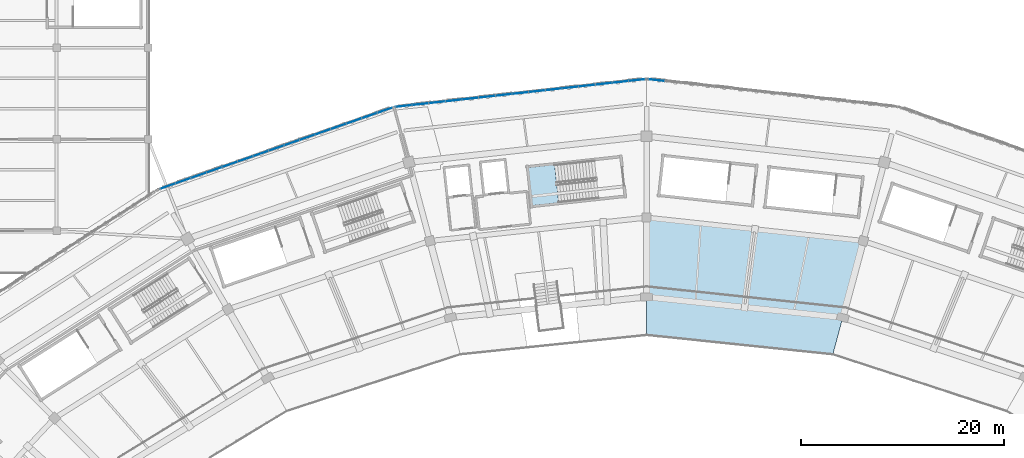
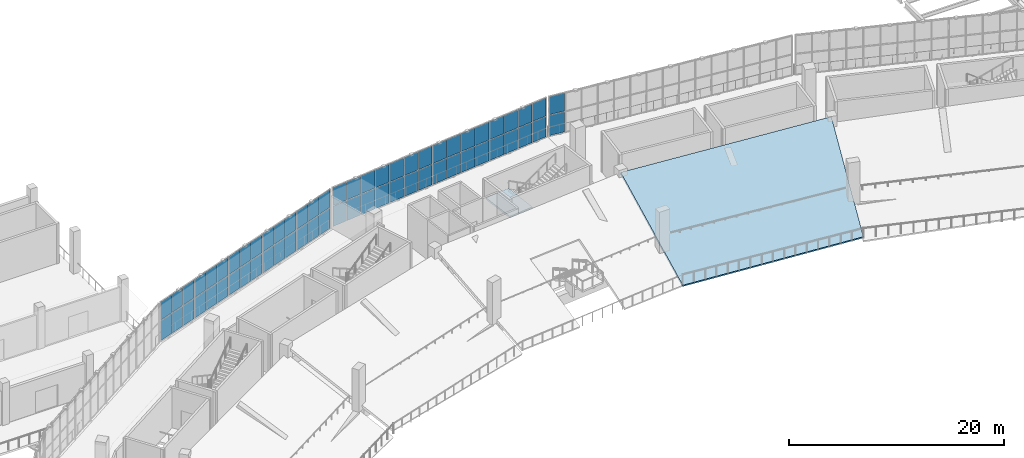
# One storey, part 85 of 152: 62 plates, 2 slabs, 4 elements without a shape of their own.
"""IFC4 building model written with IfcOpenShell, lengths in metres."""

from ifc_helpers import new_model, si_unit, direction, frame, origin, origin_2d, place, context, subcontext, project, spatial, polyline, rectangle, outline, extrude, material, layer, layer_set, type_object, element, aggregate, save


model = new_model("IFC4")

# Units and contexts
model_context = context("Model", 3, precision=1e-05, world=origin(), true_north=direction((0.0, 1.0)))
body_context = subcontext(model_context, "Body", "Model", "MODEL_VIEW")
ifc_project = project(units=[si_unit("LENGTHUNIT", "METRE"), si_unit("AREAUNIT", "SQUARE_METRE"), si_unit("VOLUMEUNIT", "CUBIC_METRE"), si_unit("PLANEANGLEUNIT", "RADIAN"), si_unit("MASSUNIT", "GRAM", prefix="KILO")], contexts=[model_context])

# Site, building, storey
site_placement = place(None, origin())
site = spatial("IfcSite", under=ifc_project, at=site_placement, CompositionType="ELEMENT")
building_placement = place(site_placement, origin())
building = spatial("IfcBuilding", under=site, at=building_placement, Name="Zevraka Park Crest Stadium", CompositionType="ELEMENT")
storey_placement = place(building_placement, frame((0.0, 0.0, 15.0)))
storey = spatial("IfcBuildingStorey", under=building, at=storey_placement, Name="L03", CompositionType="ELEMENT", Elevation=15.0)

# Curtain wall, plates
ifc_material_1 = material(Name="Anodised architectural aluminium and laminated safety glass", Category="aluminium")
curtain_wall_type_1 = type_object("IfcCurtainWallType", Name="CW11", PredefinedType="NOTDEFINED", material=ifc_material_1)
curtain_wall_1_placement = place(storey_placement, origin())
curtain_wall_1 = element("IfcCurtainWall", 1, at=curtain_wall_1_placement, inside=storey, type_object=curtain_wall_type_1, Name="Unitised Ring Curtain Wall CW11 L03-05", PredefinedType="NOTDEFINED")
ifc_material_2 = material(Name="Solar-control laminated double glazing", Category="glass")
ifc_layer_1 = layer(ifc_material_2, 0.028076171875)
ifc_layer_set_1 = layer_set([ifc_layer_1], Name="Solar-control laminated double glazing")
plate_type_1 = type_object("IfcPlateType", Name="CP11", PredefinedType="CURTAIN_PANEL", material=ifc_layer_set_1)
plate_1_placement = place(storey_placement, frame((112.965087890625, 172.812255859375, 0.06494140625), z_axis=(0.0, 0.0, 1.0), x_axis=(-0.993887680665, 0.110396006373, 0.0)))
plate_1 = element("IfcPlate", 2, at=plate_1_placement, type_object=plate_type_1, Name="CW11 panel 15.1", PredefinedType="CURTAIN_PANEL", context=body_context, shape_type="SweptSolid", body=[
    extrude(rectangle(XDim=1.550537109375, YDim=0.028076171875, at=origin_2d()), origin(), (0.0, 0.0, 1.0), 2.302490234375),
])
plate_2_placement = place(storey_placement, frame((112.965087890625, 172.812255859375, 2.4326171875), z_axis=(0.0, 0.0, 1.0), x_axis=(-0.993887680665, 0.110396006373, 0.0)))
plate_2 = element("IfcPlate", 3, at=plate_2_placement, type_object=plate_type_1, Name="CW11 panel 15.2", PredefinedType="CURTAIN_PANEL", context=body_context, shape_type="SweptSolid", body=[
    extrude(rectangle(XDim=1.550537109375, YDim=0.028076171875, at=origin_2d()), origin(), (0.0, 0.0, 1.0), 2.04248046875),
])
aggregate(curtain_wall_1, [plate_1, plate_2])

curtain_wall_2_placement = place(storey_placement, origin())
curtain_wall_2 = element("IfcCurtainWall", 4, at=curtain_wall_2_placement, inside=storey, type_object=curtain_wall_type_1, Name="Unitised Ring Curtain Wall CW11 L03-06", PredefinedType="NOTDEFINED")
plate_3_placement = place(storey_placement, frame((111.034912109375, 172.812255859375, 0.06494140625), z_axis=(0.0, 0.0, 1.0), x_axis=(-0.993887680665, -0.110396006373, 0.0)))
plate_3 = element("IfcPlate", 5, at=plate_3_placement, type_object=plate_type_1, Name="CW11 panel 1.1", PredefinedType="CURTAIN_PANEL", context=body_context, shape_type="SweptSolid", body=[
    extrude(rectangle(XDim=1.550537109375, YDim=0.028076171875, at=origin_2d()), origin(), (0.0, 0.0, 1.0), 2.302490234375),
])
plate_4_placement = place(storey_placement, frame((111.034912109375, 172.812255859375, 2.4326171875), z_axis=(0.0, 0.0, 1.0), x_axis=(-0.993887680665, -0.110396006373, 0.0)))
plate_4 = element("IfcPlate", 6, at=plate_4_placement, type_object=plate_type_1, Name="CW11 panel 1.2", PredefinedType="CURTAIN_PANEL", context=body_context, shape_type="SweptSolid", body=[
    extrude(rectangle(XDim=1.550537109375, YDim=0.028076171875, at=origin_2d()), origin(), (0.0, 0.0, 1.0), 2.04248046875),
])
plate_5_placement = place(storey_placement, frame((109.4130859375, 172.632080078125, 0.06494140625), z_axis=(0.0, 0.0, 1.0), x_axis=(-0.993887680665, -0.110396006373, 0.0)))
plate_5 = element("IfcPlate", 7, at=plate_5_placement, type_object=plate_type_1, Name="CW11 panel 2.1", PredefinedType="CURTAIN_PANEL", context=body_context, shape_type="SweptSolid", body=[
    extrude(rectangle(XDim=1.5830078125, YDim=0.028076171875, at=origin_2d()), origin(), (0.0, 0.0, 1.0), 2.302490234375),
])
plate_6_placement = place(storey_placement, frame((109.4130859375, 172.632080078125, 2.4326171875), z_axis=(0.0, 0.0, 1.0), x_axis=(-0.993887680665, -0.110396006373, 0.0)))
plate_6 = element("IfcPlate", 8, at=plate_6_placement, type_object=plate_type_1, Name="CW11 panel 2.2", PredefinedType="CURTAIN_PANEL", context=body_context, shape_type="SweptSolid", body=[
    extrude(rectangle(XDim=1.5830078125, YDim=0.028076171875, at=origin_2d()), origin(), (0.0, 0.0, 1.0), 2.04248046875),
])
plate_7_placement = place(storey_placement, frame((107.775146484375, 172.4501953125, 0.06494140625), z_axis=(0.0, 0.0, 1.0), x_axis=(-0.993887680665, -0.110396006373, 0.0)))
plate_7 = element("IfcPlate", 9, at=plate_7_placement, type_object=plate_type_1, Name="CW11 panel 3.1", PredefinedType="CURTAIN_PANEL", context=body_context, shape_type="SweptSolid", body=[
    extrude(rectangle(XDim=1.5830078125, YDim=0.028076171875, at=origin_2d()), origin(), (0.0, 0.0, 1.0), 2.302490234375),
])
plate_8_placement = place(storey_placement, frame((107.775146484375, 172.4501953125, 2.4326171875), z_axis=(0.0, 0.0, 1.0), x_axis=(-0.993887680665, -0.110396006373, 0.0)))
plate_8 = element("IfcPlate", 10, at=plate_8_placement, type_object=plate_type_1, Name="CW11 panel 3.2", PredefinedType="CURTAIN_PANEL", context=body_context, shape_type="SweptSolid", body=[
    extrude(rectangle(XDim=1.5830078125, YDim=0.028076171875, at=origin_2d()), origin(), (0.0, 0.0, 1.0), 2.04248046875),
])
plate_9_placement = place(storey_placement, frame((106.13720703125, 172.268310546875, 0.06494140625), z_axis=(0.0, 0.0, 1.0), x_axis=(-0.993887680665, -0.110396006373, 0.0)))
plate_9 = element("IfcPlate", 11, at=plate_9_placement, type_object=plate_type_1, Name="CW11 panel 4.1", PredefinedType="CURTAIN_PANEL", context=body_context, shape_type="SweptSolid", body=[
    extrude(rectangle(XDim=1.5830078125, YDim=0.028076171875, at=origin_2d()), origin(), (0.0, 0.0, 1.0), 2.302490234375),
])
plate_10_placement = place(storey_placement, frame((106.13720703125, 172.268310546875, 2.4326171875), z_axis=(0.0, 0.0, 1.0), x_axis=(-0.993887680665, -0.110396006373, 0.0)))
plate_10 = element("IfcPlate", 12, at=plate_10_placement, type_object=plate_type_1, Name="CW11 panel 4.2", PredefinedType="CURTAIN_PANEL", context=body_context, shape_type="SweptSolid", body=[
    extrude(rectangle(XDim=1.5830078125, YDim=0.028076171875, at=origin_2d()), origin(), (0.0, 0.0, 1.0), 2.04248046875),
])
plate_11_placement = place(storey_placement, frame((104.499267578125, 172.086181640625, 0.06494140625), z_axis=(0.0, 0.0, 1.0), x_axis=(-0.993887680665, -0.110396006373, 0.0)))
plate_11 = element("IfcPlate", 13, at=plate_11_placement, type_object=plate_type_1, Name="CW11 panel 5.1", PredefinedType="CURTAIN_PANEL", context=body_context, shape_type="SweptSolid", body=[
    extrude(rectangle(XDim=1.5830078125, YDim=0.028076171875, at=origin_2d()), origin(), (0.0, 0.0, 1.0), 2.302490234375),
])
plate_12_placement = place(storey_placement, frame((104.499267578125, 172.086181640625, 2.4326171875), z_axis=(0.0, 0.0, 1.0), x_axis=(-0.993887680665, -0.110396006373, 0.0)))
plate_12 = element("IfcPlate", 14, at=plate_12_placement, type_object=plate_type_1, Name="CW11 panel 5.2", PredefinedType="CURTAIN_PANEL", context=body_context, shape_type="SweptSolid", body=[
    extrude(rectangle(XDim=1.5830078125, YDim=0.028076171875, at=origin_2d()), origin(), (0.0, 0.0, 1.0), 2.04248046875),
])
plate_13_placement = place(storey_placement, frame((102.861328125, 171.904296875, 0.06494140625), z_axis=(0.0, 0.0, 1.0), x_axis=(-0.993887680665, -0.110396006373, 0.0)))
plate_13 = element("IfcPlate", 15, at=plate_13_placement, type_object=plate_type_1, Name="CW11 panel 6.1", PredefinedType="CURTAIN_PANEL", context=body_context, shape_type="SweptSolid", body=[
    extrude(rectangle(XDim=1.5830078125, YDim=0.028076171875, at=origin_2d()), origin(), (0.0, 0.0, 1.0), 2.302490234375),
])
plate_14_placement = place(storey_placement, frame((102.861328125, 171.904296875, 2.4326171875), z_axis=(0.0, 0.0, 1.0), x_axis=(-0.993887680665, -0.110396006373, 0.0)))
plate_14 = element("IfcPlate", 16, at=plate_14_placement, type_object=plate_type_1, Name="CW11 panel 6.2", PredefinedType="CURTAIN_PANEL", context=body_context, shape_type="SweptSolid", body=[
    extrude(rectangle(XDim=1.5830078125, YDim=0.028076171875, at=origin_2d()), origin(), (0.0, 0.0, 1.0), 2.04248046875),
])
plate_15_placement = place(storey_placement, frame((101.223388671875, 171.722412109375, 0.06494140625), z_axis=(0.0, 0.0, 1.0), x_axis=(-0.993887680665, -0.110396006373, 0.0)))
plate_15 = element("IfcPlate", 17, at=plate_15_placement, type_object=plate_type_1, Name="CW11 panel 7.1", PredefinedType="CURTAIN_PANEL", context=body_context, shape_type="SweptSolid", body=[
    extrude(rectangle(XDim=1.5830078125, YDim=0.028076171875, at=origin_2d()), origin(), (0.0, 0.0, 1.0), 2.302490234375),
])
plate_16_placement = place(storey_placement, frame((101.223388671875, 171.722412109375, 2.4326171875), z_axis=(0.0, 0.0, 1.0), x_axis=(-0.993887680665, -0.110396006373, 0.0)))
plate_16 = element("IfcPlate", 18, at=plate_16_placement, type_object=plate_type_1, Name="CW11 panel 7.2", PredefinedType="CURTAIN_PANEL", context=body_context, shape_type="SweptSolid", body=[
    extrude(rectangle(XDim=1.5830078125, YDim=0.028076171875, at=origin_2d()), origin(), (0.0, 0.0, 1.0), 2.04248046875),
])
plate_17_placement = place(storey_placement, frame((99.58544921875, 171.54052734375, 0.06494140625), z_axis=(0.0, 0.0, 1.0), x_axis=(-0.993887680665, -0.110396006373, 0.0)))
plate_17 = element("IfcPlate", 19, at=plate_17_placement, type_object=plate_type_1, Name="CW11 panel 8.1", PredefinedType="CURTAIN_PANEL", context=body_context, shape_type="SweptSolid", body=[
    extrude(rectangle(XDim=1.5830078125, YDim=0.028076171875, at=origin_2d()), origin(), (0.0, 0.0, 1.0), 2.302490234375),
])
plate_18_placement = place(storey_placement, frame((99.58544921875, 171.54052734375, 2.4326171875), z_axis=(0.0, 0.0, 1.0), x_axis=(-0.993887680665, -0.110396006373, 0.0)))
plate_18 = element("IfcPlate", 20, at=plate_18_placement, type_object=plate_type_1, Name="CW11 panel 8.2", PredefinedType="CURTAIN_PANEL", context=body_context, shape_type="SweptSolid", body=[
    extrude(rectangle(XDim=1.5830078125, YDim=0.028076171875, at=origin_2d()), origin(), (0.0, 0.0, 1.0), 2.04248046875),
])
plate_19_placement = place(storey_placement, frame((97.947509765625, 171.358642578125, 0.06494140625), z_axis=(0.0, 0.0, 1.0), x_axis=(-0.993887680665, -0.110396006373, 0.0)))
plate_19 = element("IfcPlate", 21, at=plate_19_placement, type_object=plate_type_1, Name="CW11 panel 9.1", PredefinedType="CURTAIN_PANEL", context=body_context, shape_type="SweptSolid", body=[
    extrude(rectangle(XDim=1.5830078125, YDim=0.028076171875, at=origin_2d()), origin(), (0.0, 0.0, 1.0), 2.302490234375),
])
plate_20_placement = place(storey_placement, frame((97.947509765625, 171.358642578125, 2.4326171875), z_axis=(0.0, 0.0, 1.0), x_axis=(-0.993887680665, -0.110396006373, 0.0)))
plate_20 = element("IfcPlate", 22, at=plate_20_placement, type_object=plate_type_1, Name="CW11 panel 9.2", PredefinedType="CURTAIN_PANEL", context=body_context, shape_type="SweptSolid", body=[
    extrude(rectangle(XDim=1.5830078125, YDim=0.028076171875, at=origin_2d()), origin(), (0.0, 0.0, 1.0), 2.04248046875),
])
plate_21_placement = place(storey_placement, frame((96.3095703125, 171.176513671875, 0.06494140625), z_axis=(0.0, 0.0, 1.0), x_axis=(-0.993887680665, -0.110396006373, 0.0)))
plate_21 = element("IfcPlate", 23, at=plate_21_placement, type_object=plate_type_1, Name="CW11 panel 10.1", PredefinedType="CURTAIN_PANEL", context=body_context, shape_type="SweptSolid", body=[
    extrude(rectangle(XDim=1.5830078125, YDim=0.028076171875, at=origin_2d()), origin(), (0.0, 0.0, 1.0), 2.302490234375),
])
plate_22_placement = place(storey_placement, frame((96.3095703125, 171.176513671875, 2.4326171875), z_axis=(0.0, 0.0, 1.0), x_axis=(-0.993887680665, -0.110396006373, 0.0)))
plate_22 = element("IfcPlate", 24, at=plate_22_placement, type_object=plate_type_1, Name="CW11 panel 10.2", PredefinedType="CURTAIN_PANEL", context=body_context, shape_type="SweptSolid", body=[
    extrude(rectangle(XDim=1.5830078125, YDim=0.028076171875, at=origin_2d()), origin(), (0.0, 0.0, 1.0), 2.04248046875),
])
plate_23_placement = place(storey_placement, frame((94.671630859375, 170.99462890625, 0.06494140625), z_axis=(0.0, 0.0, 1.0), x_axis=(-0.993887680665, -0.110396006373, 0.0)))
plate_23 = element("IfcPlate", 25, at=plate_23_placement, type_object=plate_type_1, Name="CW11 panel 11.1", PredefinedType="CURTAIN_PANEL", context=body_context, shape_type="SweptSolid", body=[
    extrude(rectangle(XDim=1.5830078125, YDim=0.028076171875, at=origin_2d()), origin(), (0.0, 0.0, 1.0), 2.302490234375),
])
plate_24_placement = place(storey_placement, frame((94.671630859375, 170.99462890625, 2.4326171875), z_axis=(0.0, 0.0, 1.0), x_axis=(-0.993887680665, -0.110396006373, 0.0)))
plate_24 = element("IfcPlate", 26, at=plate_24_placement, type_object=plate_type_1, Name="CW11 panel 11.2", PredefinedType="CURTAIN_PANEL", context=body_context, shape_type="SweptSolid", body=[
    extrude(rectangle(XDim=1.5830078125, YDim=0.028076171875, at=origin_2d()), origin(), (0.0, 0.0, 1.0), 2.04248046875),
])
plate_25_placement = place(storey_placement, frame((93.03369140625, 170.812744140625, 0.06494140625), z_axis=(0.0, 0.0, 1.0), x_axis=(-0.993887680665, -0.110396006373, 0.0)))
plate_25 = element("IfcPlate", 27, at=plate_25_placement, type_object=plate_type_1, Name="CW11 panel 12.1", PredefinedType="CURTAIN_PANEL", context=body_context, shape_type="SweptSolid", body=[
    extrude(rectangle(XDim=1.5830078125, YDim=0.028076171875, at=origin_2d()), origin(), (0.0, 0.0, 1.0), 2.302490234375),
])
plate_26_placement = place(storey_placement, frame((93.03369140625, 170.812744140625, 2.4326171875), z_axis=(0.0, 0.0, 1.0), x_axis=(-0.993887680665, -0.110396006373, 0.0)))
plate_26 = element("IfcPlate", 28, at=plate_26_placement, type_object=plate_type_1, Name="CW11 panel 12.2", PredefinedType="CURTAIN_PANEL", context=body_context, shape_type="SweptSolid", body=[
    extrude(rectangle(XDim=1.5830078125, YDim=0.028076171875, at=origin_2d()), origin(), (0.0, 0.0, 1.0), 2.04248046875),
])
plate_27_placement = place(storey_placement, frame((91.395751953125, 170.630859375, 0.06494140625), z_axis=(0.0, 0.0, 1.0), x_axis=(-0.993887680665, -0.110396006373, 0.0)))
plate_27 = element("IfcPlate", 29, at=plate_27_placement, type_object=plate_type_1, Name="CW11 panel 13.1", PredefinedType="CURTAIN_PANEL", context=body_context, shape_type="SweptSolid", body=[
    extrude(rectangle(XDim=1.5830078125, YDim=0.028076171875, at=origin_2d()), origin(), (0.0, 0.0, 1.0), 2.302490234375),
])
plate_28_placement = place(storey_placement, frame((91.395751953125, 170.630859375, 2.4326171875), z_axis=(0.0, 0.0, 1.0), x_axis=(-0.993887680665, -0.110396006373, 0.0)))
plate_28 = element("IfcPlate", 30, at=plate_28_placement, type_object=plate_type_1, Name="CW11 panel 13.2", PredefinedType="CURTAIN_PANEL", context=body_context, shape_type="SweptSolid", body=[
    extrude(rectangle(XDim=1.5830078125, YDim=0.028076171875, at=origin_2d()), origin(), (0.0, 0.0, 1.0), 2.04248046875),
])
plate_29_placement = place(storey_placement, frame((89.7578125, 170.448974609375, 0.06494140625), z_axis=(0.0, 0.0, 1.0), x_axis=(-0.993887680665, -0.110396006373, 0.0)))
plate_29 = element("IfcPlate", 31, at=plate_29_placement, type_object=plate_type_1, Name="CW11 panel 14.1", PredefinedType="CURTAIN_PANEL", context=body_context, shape_type="SweptSolid", body=[
    extrude(rectangle(XDim=1.5830078125, YDim=0.028076171875, at=origin_2d()), origin(), (0.0, 0.0, 1.0), 2.302490234375),
])
plate_30_placement = place(storey_placement, frame((89.7578125, 170.448974609375, 2.4326171875), z_axis=(0.0, 0.0, 1.0), x_axis=(-0.993887680665, -0.110396006373, 0.0)))
plate_30 = element("IfcPlate", 32, at=plate_30_placement, type_object=plate_type_1, Name="CW11 panel 14.2", PredefinedType="CURTAIN_PANEL", context=body_context, shape_type="SweptSolid", body=[
    extrude(rectangle(XDim=1.5830078125, YDim=0.028076171875, at=origin_2d()), origin(), (0.0, 0.0, 1.0), 2.04248046875),
])
plate_31_placement = place(storey_placement, frame((88.13623046875, 170.268798828125, 0.06494140625), z_axis=(0.0, 0.0, 1.0), x_axis=(-0.993887680665, -0.110396006373, 0.0)))
plate_31 = element("IfcPlate", 33, at=plate_31_placement, type_object=plate_type_1, Name="CW11 panel 15.1", PredefinedType="CURTAIN_PANEL", context=body_context, shape_type="SweptSolid", body=[
    extrude(rectangle(XDim=1.550537109375, YDim=0.028076171875, at=origin_2d()), origin(), (0.0, 0.0, 1.0), 2.302490234375),
])
plate_32_placement = place(storey_placement, frame((88.13623046875, 170.268798828125, 2.4326171875), z_axis=(0.0, 0.0, 1.0), x_axis=(-0.993887680665, -0.110396006373, 0.0)))
plate_32 = element("IfcPlate", 34, at=plate_32_placement, type_object=plate_type_1, Name="CW11 panel 15.2", PredefinedType="CURTAIN_PANEL", context=body_context, shape_type="SweptSolid", body=[
    extrude(rectangle(XDim=1.550537109375, YDim=0.028076171875, at=origin_2d()), origin(), (0.0, 0.0, 1.0), 2.04248046875),
])
aggregate(curtain_wall_2, [plate_3, plate_4, plate_5, plate_6, plate_7, plate_8, plate_9, plate_10, plate_11, plate_12, plate_13, plate_14, plate_15, plate_16, plate_17, plate_18, plate_19, plate_20, plate_21, plate_22, plate_23, plate_24, plate_25, plate_26, plate_27, plate_28, plate_29, plate_30, plate_31, plate_32])

ifc_material_3 = material(Name="Anodised architectural aluminium and laminated safety glass", Category="aluminium")
curtain_wall_type_2 = type_object("IfcCurtainWallType", Name="CW12", PredefinedType="NOTDEFINED", material=ifc_material_3)
curtain_wall_3_placement = place(storey_placement, origin())
curtain_wall_3 = element("IfcCurtainWall", 35, at=curtain_wall_3_placement, inside=storey, type_object=curtain_wall_type_2, Name="Unitised Ring Curtain Wall CW12 L03-07", PredefinedType="NOTDEFINED")
ifc_material_4 = material(Name="Solar-control laminated double glazing", Category="glass")
ifc_layer_2 = layer(ifc_material_4, 0.028076171875)
ifc_layer_set_2 = layer_set([ifc_layer_2], Name="Solar-control laminated double glazing")
plate_type_2 = type_object("IfcPlateType", Name="CP12", PredefinedType="CURTAIN_PANEL", material=ifc_layer_set_2)
plate_33_placement = place(storey_placement, frame((86.267578125, 169.845703125, 0.070068359375), z_axis=(0.0, 0.0, 1.0), x_axis=(-0.944010008092, -0.329916814701, 0.0)))
plate_33 = element("IfcPlate", 36, at=plate_33_placement, type_object=plate_type_2, Name="CW12 panel 1.1", PredefinedType="CURTAIN_PANEL", context=body_context, shape_type="SweptSolid", body=[
    extrude(rectangle(XDim=1.511474609375, YDim=0.028076171875, at=origin_2d()), origin(), (0.0, 0.0, 1.0), 2.294921875),
])
plate_34_placement = place(storey_placement, frame((86.267578125, 169.845703125, 2.43505859375), z_axis=(0.0, 0.0, 1.0), x_axis=(-0.944010008092, -0.329916814701, 0.0)))
plate_34 = element("IfcPlate", 37, at=plate_34_placement, type_object=plate_type_2, Name="CW12 panel 1.2", PredefinedType="CURTAIN_PANEL", context=body_context, shape_type="SweptSolid", body=[
    extrude(rectangle(XDim=1.511474609375, YDim=0.028076171875, at=origin_2d()), origin(), (0.0, 0.0, 1.0), 2.034912109375),
])
plate_35_placement = place(storey_placement, frame((84.75830078125, 169.318115234375, 0.070068359375), z_axis=(0.0, 0.0, 1.0), x_axis=(-0.944010008092, -0.329916814701, 0.0)))
plate_35 = element("IfcPlate", 38, at=plate_35_placement, type_object=plate_type_2, Name="CW12 panel 2.1", PredefinedType="CURTAIN_PANEL", context=body_context, shape_type="SweptSolid", body=[
    extrude(rectangle(XDim=1.54638671875, YDim=0.028076171875, at=origin_2d()), origin(), (0.0, 0.0, 1.0), 2.294921875),
])
plate_36_placement = place(storey_placement, frame((84.75830078125, 169.318115234375, 2.43505859375), z_axis=(0.0, 0.0, 1.0), x_axis=(-0.944010008092, -0.329916814701, 0.0)))
plate_36 = element("IfcPlate", 39, at=plate_36_placement, type_object=plate_type_2, Name="CW12 panel 2.2", PredefinedType="CURTAIN_PANEL", context=body_context, shape_type="SweptSolid", body=[
    extrude(rectangle(XDim=1.54638671875, YDim=0.028076171875, at=origin_2d()), origin(), (0.0, 0.0, 1.0), 2.034912109375),
])
plate_37_placement = place(storey_placement, frame((83.232421875, 168.784912109375, 0.070068359375), z_axis=(0.0, 0.0, 1.0), x_axis=(-0.944010008092, -0.329916814701, 0.0)))
plate_37 = element("IfcPlate", 40, at=plate_37_placement, type_object=plate_type_2, Name="CW12 panel 3.1", PredefinedType="CURTAIN_PANEL", context=body_context, shape_type="SweptSolid", body=[
    extrude(rectangle(XDim=1.54638671875, YDim=0.028076171875, at=origin_2d()), origin(), (0.0, 0.0, 1.0), 2.294921875),
])
plate_38_placement = place(storey_placement, frame((83.232421875, 168.784912109375, 2.43505859375), z_axis=(0.0, 0.0, 1.0), x_axis=(-0.944010008092, -0.329916814701, 0.0)))
plate_38 = element("IfcPlate", 41, at=plate_38_placement, type_object=plate_type_2, Name="CW12 panel 3.2", PredefinedType="CURTAIN_PANEL", context=body_context, shape_type="SweptSolid", body=[
    extrude(rectangle(XDim=1.54638671875, YDim=0.028076171875, at=origin_2d()), origin(), (0.0, 0.0, 1.0), 2.034912109375),
])
plate_39_placement = place(storey_placement, frame((81.70654296875, 168.25146484375, 0.070068359375), z_axis=(0.0, 0.0, 1.0), x_axis=(-0.944010008092, -0.329916814701, 0.0)))
plate_39 = element("IfcPlate", 42, at=plate_39_placement, type_object=plate_type_2, Name="CW12 panel 4.1", PredefinedType="CURTAIN_PANEL", context=body_context, shape_type="SweptSolid", body=[
    extrude(rectangle(XDim=1.54638671875, YDim=0.028076171875, at=origin_2d()), origin(), (0.0, 0.0, 1.0), 2.294921875),
])
plate_40_placement = place(storey_placement, frame((81.70654296875, 168.25146484375, 2.43505859375), z_axis=(0.0, 0.0, 1.0), x_axis=(-0.944010008092, -0.329916814701, 0.0)))
plate_40 = element("IfcPlate", 43, at=plate_40_placement, type_object=plate_type_2, Name="CW12 panel 4.2", PredefinedType="CURTAIN_PANEL", context=body_context, shape_type="SweptSolid", body=[
    extrude(rectangle(XDim=1.54638671875, YDim=0.028076171875, at=origin_2d()), origin(), (0.0, 0.0, 1.0), 2.034912109375),
])
plate_41_placement = place(storey_placement, frame((80.1806640625, 167.71826171875, 0.070068359375), z_axis=(0.0, 0.0, 1.0), x_axis=(-0.944010008092, -0.329916814701, 0.0)))
plate_41 = element("IfcPlate", 44, at=plate_41_placement, type_object=plate_type_2, Name="CW12 panel 5.1", PredefinedType="CURTAIN_PANEL", context=body_context, shape_type="SweptSolid", body=[
    extrude(rectangle(XDim=1.54638671875, YDim=0.028076171875, at=origin_2d()), origin(), (0.0, 0.0, 1.0), 2.294921875),
])
plate_42_placement = place(storey_placement, frame((80.1806640625, 167.71826171875, 2.43505859375), z_axis=(0.0, 0.0, 1.0), x_axis=(-0.944010008092, -0.329916814701, 0.0)))
plate_42 = element("IfcPlate", 45, at=plate_42_placement, type_object=plate_type_2, Name="CW12 panel 5.2", PredefinedType="CURTAIN_PANEL", context=body_context, shape_type="SweptSolid", body=[
    extrude(rectangle(XDim=1.54638671875, YDim=0.028076171875, at=origin_2d()), origin(), (0.0, 0.0, 1.0), 2.034912109375),
])
plate_43_placement = place(storey_placement, frame((78.65478515625, 167.18505859375, 0.070068359375), z_axis=(0.0, 0.0, 1.0), x_axis=(-0.944010008092, -0.329916814701, 0.0)))
plate_43 = element("IfcPlate", 46, at=plate_43_placement, type_object=plate_type_2, Name="CW12 panel 6.1", PredefinedType="CURTAIN_PANEL", context=body_context, shape_type="SweptSolid", body=[
    extrude(rectangle(XDim=1.54638671875, YDim=0.028076171875, at=origin_2d()), origin(), (0.0, 0.0, 1.0), 2.294921875),
])
plate_44_placement = place(storey_placement, frame((78.65478515625, 167.18505859375, 2.43505859375), z_axis=(0.0, 0.0, 1.0), x_axis=(-0.944010008092, -0.329916814701, 0.0)))
plate_44 = element("IfcPlate", 47, at=plate_44_placement, type_object=plate_type_2, Name="CW12 panel 6.2", PredefinedType="CURTAIN_PANEL", context=body_context, shape_type="SweptSolid", body=[
    extrude(rectangle(XDim=1.54638671875, YDim=0.028076171875, at=origin_2d()), origin(), (0.0, 0.0, 1.0), 2.034912109375),
])
plate_45_placement = place(storey_placement, frame((77.12890625, 166.65185546875, 0.070068359375), z_axis=(0.0, 0.0, 1.0), x_axis=(-0.944010008092, -0.329916814701, 0.0)))
plate_45 = element("IfcPlate", 48, at=plate_45_placement, type_object=plate_type_2, Name="CW12 panel 7.1", PredefinedType="CURTAIN_PANEL", context=body_context, shape_type="SweptSolid", body=[
    extrude(rectangle(XDim=1.54638671875, YDim=0.028076171875, at=origin_2d()), origin(), (0.0, 0.0, 1.0), 2.294921875),
])
plate_46_placement = place(storey_placement, frame((77.12890625, 166.65185546875, 2.43505859375), z_axis=(0.0, 0.0, 1.0), x_axis=(-0.944010008092, -0.329916814701, 0.0)))
plate_46 = element("IfcPlate", 49, at=plate_46_placement, type_object=plate_type_2, Name="CW12 panel 7.2", PredefinedType="CURTAIN_PANEL", context=body_context, shape_type="SweptSolid", body=[
    extrude(rectangle(XDim=1.54638671875, YDim=0.028076171875, at=origin_2d()), origin(), (0.0, 0.0, 1.0), 2.034912109375),
])
plate_47_placement = place(storey_placement, frame((75.60302734375, 166.118408203125, 0.070068359375), z_axis=(0.0, 0.0, 1.0), x_axis=(-0.944010008092, -0.329916814701, 0.0)))
plate_47 = element("IfcPlate", 50, at=plate_47_placement, type_object=plate_type_2, Name="CW12 panel 8.1", PredefinedType="CURTAIN_PANEL", context=body_context, shape_type="SweptSolid", body=[
    extrude(rectangle(XDim=1.54638671875, YDim=0.028076171875, at=origin_2d()), origin(), (0.0, 0.0, 1.0), 2.294921875),
])
plate_48_placement = place(storey_placement, frame((75.60302734375, 166.118408203125, 2.43505859375), z_axis=(0.0, 0.0, 1.0), x_axis=(-0.944010008092, -0.329916814701, 0.0)))
plate_48 = element("IfcPlate", 51, at=plate_48_placement, type_object=plate_type_2, Name="CW12 panel 8.2", PredefinedType="CURTAIN_PANEL", context=body_context, shape_type="SweptSolid", body=[
    extrude(rectangle(XDim=1.54638671875, YDim=0.028076171875, at=origin_2d()), origin(), (0.0, 0.0, 1.0), 2.034912109375),
])
plate_49_placement = place(storey_placement, frame((74.0771484375, 165.585205078125, 0.070068359375), z_axis=(0.0, 0.0, 1.0), x_axis=(-0.944010008092, -0.329916814701, 0.0)))
plate_49 = element("IfcPlate", 52, at=plate_49_placement, type_object=plate_type_2, Name="CW12 panel 9.1", PredefinedType="CURTAIN_PANEL", context=body_context, shape_type="SweptSolid", body=[
    extrude(rectangle(XDim=1.54638671875, YDim=0.028076171875, at=origin_2d()), origin(), (0.0, 0.0, 1.0), 2.294921875),
])
plate_50_placement = place(storey_placement, frame((74.0771484375, 165.585205078125, 2.43505859375), z_axis=(0.0, 0.0, 1.0), x_axis=(-0.944010008092, -0.329916814701, 0.0)))
plate_50 = element("IfcPlate", 53, at=plate_50_placement, type_object=plate_type_2, Name="CW12 panel 9.2", PredefinedType="CURTAIN_PANEL", context=body_context, shape_type="SweptSolid", body=[
    extrude(rectangle(XDim=1.54638671875, YDim=0.028076171875, at=origin_2d()), origin(), (0.0, 0.0, 1.0), 2.034912109375),
])
plate_51_placement = place(storey_placement, frame((72.55126953125, 165.052001953125, 0.070068359375), z_axis=(0.0, 0.0, 1.0), x_axis=(-0.944010008092, -0.329916814701, 0.0)))
plate_51 = element("IfcPlate", 54, at=plate_51_placement, type_object=plate_type_2, Name="CW12 panel 10.1", PredefinedType="CURTAIN_PANEL", context=body_context, shape_type="SweptSolid", body=[
    extrude(rectangle(XDim=1.54638671875, YDim=0.028076171875, at=origin_2d()), origin(), (0.0, 0.0, 1.0), 2.294921875),
])
plate_52_placement = place(storey_placement, frame((72.55126953125, 165.052001953125, 2.43505859375), z_axis=(0.0, 0.0, 1.0), x_axis=(-0.944010008092, -0.329916814701, 0.0)))
plate_52 = element("IfcPlate", 55, at=plate_52_placement, type_object=plate_type_2, Name="CW12 panel 10.2", PredefinedType="CURTAIN_PANEL", context=body_context, shape_type="SweptSolid", body=[
    extrude(rectangle(XDim=1.54638671875, YDim=0.028076171875, at=origin_2d()), origin(), (0.0, 0.0, 1.0), 2.034912109375),
])
plate_53_placement = place(storey_placement, frame((71.025390625, 164.518798828125, 0.070068359375), z_axis=(0.0, 0.0, 1.0), x_axis=(-0.944010008092, -0.329916814701, 0.0)))
plate_53 = element("IfcPlate", 56, at=plate_53_placement, type_object=plate_type_2, Name="CW12 panel 11.1", PredefinedType="CURTAIN_PANEL", context=body_context, shape_type="SweptSolid", body=[
    extrude(rectangle(XDim=1.54638671875, YDim=0.028076171875, at=origin_2d()), origin(), (0.0, 0.0, 1.0), 2.294921875),
])
plate_54_placement = place(storey_placement, frame((71.025390625, 164.518798828125, 2.43505859375), z_axis=(0.0, 0.0, 1.0), x_axis=(-0.944010008092, -0.329916814701, 0.0)))
plate_54 = element("IfcPlate", 57, at=plate_54_placement, type_object=plate_type_2, Name="CW12 panel 11.2", PredefinedType="CURTAIN_PANEL", context=body_context, shape_type="SweptSolid", body=[
    extrude(rectangle(XDim=1.54638671875, YDim=0.028076171875, at=origin_2d()), origin(), (0.0, 0.0, 1.0), 2.034912109375),
])
plate_55_placement = place(storey_placement, frame((69.49951171875, 163.9853515625, 0.070068359375), z_axis=(0.0, 0.0, 1.0), x_axis=(-0.944010008092, -0.329916814701, 0.0)))
plate_55 = element("IfcPlate", 58, at=plate_55_placement, type_object=plate_type_2, Name="CW12 panel 12.1", PredefinedType="CURTAIN_PANEL", context=body_context, shape_type="SweptSolid", body=[
    extrude(rectangle(XDim=1.54638671875, YDim=0.028076171875, at=origin_2d()), origin(), (0.0, 0.0, 1.0), 2.294921875),
])
plate_56_placement = place(storey_placement, frame((69.49951171875, 163.9853515625, 2.43505859375), z_axis=(0.0, 0.0, 1.0), x_axis=(-0.944010008092, -0.329916814701, 0.0)))
plate_56 = element("IfcPlate", 59, at=plate_56_placement, type_object=plate_type_2, Name="CW12 panel 12.2", PredefinedType="CURTAIN_PANEL", context=body_context, shape_type="SweptSolid", body=[
    extrude(rectangle(XDim=1.54638671875, YDim=0.028076171875, at=origin_2d()), origin(), (0.0, 0.0, 1.0), 2.034912109375),
])
plate_57_placement = place(storey_placement, frame((67.9736328125, 163.4521484375, 0.070068359375), z_axis=(0.0, 0.0, 1.0), x_axis=(-0.944010008092, -0.329916814701, 0.0)))
plate_57 = element("IfcPlate", 60, at=plate_57_placement, type_object=plate_type_2, Name="CW12 panel 13.1", PredefinedType="CURTAIN_PANEL", context=body_context, shape_type="SweptSolid", body=[
    extrude(rectangle(XDim=1.54638671875, YDim=0.028076171875, at=origin_2d()), origin(), (0.0, 0.0, 1.0), 2.294921875),
])
plate_58_placement = place(storey_placement, frame((67.9736328125, 163.4521484375, 2.43505859375), z_axis=(0.0, 0.0, 1.0), x_axis=(-0.944010008092, -0.329916814701, 0.0)))
plate_58 = element("IfcPlate", 61, at=plate_58_placement, type_object=plate_type_2, Name="CW12 panel 13.2", PredefinedType="CURTAIN_PANEL", context=body_context, shape_type="SweptSolid", body=[
    extrude(rectangle(XDim=1.54638671875, YDim=0.028076171875, at=origin_2d()), origin(), (0.0, 0.0, 1.0), 2.034912109375),
])
plate_59_placement = place(storey_placement, frame((66.44775390625, 162.9189453125, 0.070068359375), z_axis=(0.0, 0.0, 1.0), x_axis=(-0.944010008092, -0.329916814701, 0.0)))
plate_59 = element("IfcPlate", 62, at=plate_59_placement, type_object=plate_type_2, Name="CW12 panel 14.1", PredefinedType="CURTAIN_PANEL", context=body_context, shape_type="SweptSolid", body=[
    extrude(rectangle(XDim=1.54638671875, YDim=0.028076171875, at=origin_2d()), origin(), (0.0, 0.0, 1.0), 2.294921875),
])
plate_60_placement = place(storey_placement, frame((66.44775390625, 162.9189453125, 2.43505859375), z_axis=(0.0, 0.0, 1.0), x_axis=(-0.944010008092, -0.329916814701, 0.0)))
plate_60 = element("IfcPlate", 63, at=plate_60_placement, type_object=plate_type_2, Name="CW12 panel 14.2", PredefinedType="CURTAIN_PANEL", context=body_context, shape_type="SweptSolid", body=[
    extrude(rectangle(XDim=1.54638671875, YDim=0.028076171875, at=origin_2d()), origin(), (0.0, 0.0, 1.0), 2.034912109375),
])
plate_61_placement = place(storey_placement, frame((64.9384765625, 162.391357421875, 0.070068359375), z_axis=(0.0, 0.0, 1.0), x_axis=(-0.944010008092, -0.329916814701, 0.0)))
plate_61 = element("IfcPlate", 64, at=plate_61_placement, type_object=plate_type_2, Name="CW12 panel 15.1", PredefinedType="CURTAIN_PANEL", context=body_context, shape_type="SweptSolid", body=[
    extrude(rectangle(XDim=1.511474609375, YDim=0.028076171875, at=origin_2d()), origin(), (0.0, 0.0, 1.0), 2.294921875),
])
plate_62_placement = place(storey_placement, frame((64.9384765625, 162.391357421875, 2.43505859375), z_axis=(0.0, 0.0, 1.0), x_axis=(-0.944010008092, -0.329916814701, 0.0)))
plate_62 = element("IfcPlate", 65, at=plate_62_placement, type_object=plate_type_2, Name="CW12 panel 15.2", PredefinedType="CURTAIN_PANEL", context=body_context, shape_type="SweptSolid", body=[
    extrude(rectangle(XDim=1.511474609375, YDim=0.028076171875, at=origin_2d()), origin(), (0.0, 0.0, 1.0), 2.034912109375),
])
aggregate(curtain_wall_3, [plate_33, plate_34, plate_35, plate_36, plate_37, plate_38, plate_39, plate_40, plate_41, plate_42, plate_43, plate_44, plate_45, plate_46, plate_47, plate_48, plate_49, plate_50, plate_51, plate_52, plate_53, plate_54, plate_55, plate_56, plate_57, plate_58, plate_59, plate_60, plate_61, plate_62])

# Stair, slab
ifc_material_5 = material(Name="Concrete C35/45", Category="concrete")
stair_type = type_object("IfcStairType", Name="STA2", PredefinedType="HALF_TURN_STAIR", material=ifc_material_5)
stair_placement = place(storey_placement, origin())
stair = element("IfcStair", 66, at=stair_placement, inside=storey, type_object=stair_type, Name="L03 Protected Concourse Exit Stair ST07", PredefinedType="HALF_TURN_STAIR")
ifc_material_6 = material(Name="Concrete C35/45", Category="concrete")
ifc_layer_3 = layer(ifc_material_6, 0.199951171875)
ifc_layer_set_3 = layer_set([ifc_layer_3], Name="Concrete C35/45")
slab_type_1 = type_object("IfcSlabType", Name="LS01", PredefinedType="LANDING", material=ifc_layer_set_3)
slab_1_placement = place(storey_placement, frame((0.0, 0.0, 2.199951171875)))
slab_1 = element("IfcSlab", 67, at=slab_1_placement, type_object=slab_type_1, Name="ST07 landing 1", PredefinedType="LANDING", context=body_context, shape_type="SweptSolid", body=[
    extrude(outline(polyline([(102.9609375, 164.507080078125), (100.3662109375, 164.224609375), (100.77294921875, 160.48681640625), (103.36767578125, 160.769287109375), (102.9609375, 164.507080078125)])), origin(), (0.0, 0.0, 1.0), 0.199951171875),
])
aggregate(stair, [slab_1])

# Slab
ifc_material_7 = material(Name="Concrete C35/45", Category="concrete")
ifc_layer_4 = layer(ifc_material_7, 0.27001953125)
ifc_layer_set_4 = layer_set([ifc_layer_4], Name="Concrete C35/45")
slab_type_2 = type_object("IfcSlabType", Name="STU1", PredefinedType="USERDEFINED", material=ifc_layer_set_4)
slab_2_placement = place(storey_placement, frame((130.31103515625, 145.85009765625, -1.37109375), z_axis=(-0.059157149735, -0.449259593937, 0.891440547031), x_axis=(-0.994563235924, 0.103189537468, -0.013996038893)))
element("IfcSlab", 68, at=slab_2_placement, inside=storey, type_object=slab_type_2, Name="Upper Tier Cantilevered Raked Seating Slab 05", ObjectType="SEATING TIER", PredefinedType="USERDEFINED", context=body_context, shape_type="SweptSolid", body=[
    extrude(outline(polyline([(0.0, 0.0), (18.41114077598878, -3.7470027081099033e-16), (19.521513401177323, -12.886243227826359), (-1.9039220783490531, -12.793668084042888), (0.0, 0.0)])), origin(), (0.0, 0.0, -1.0), 0.27001953125),
])

save(model, "model.ifc")
